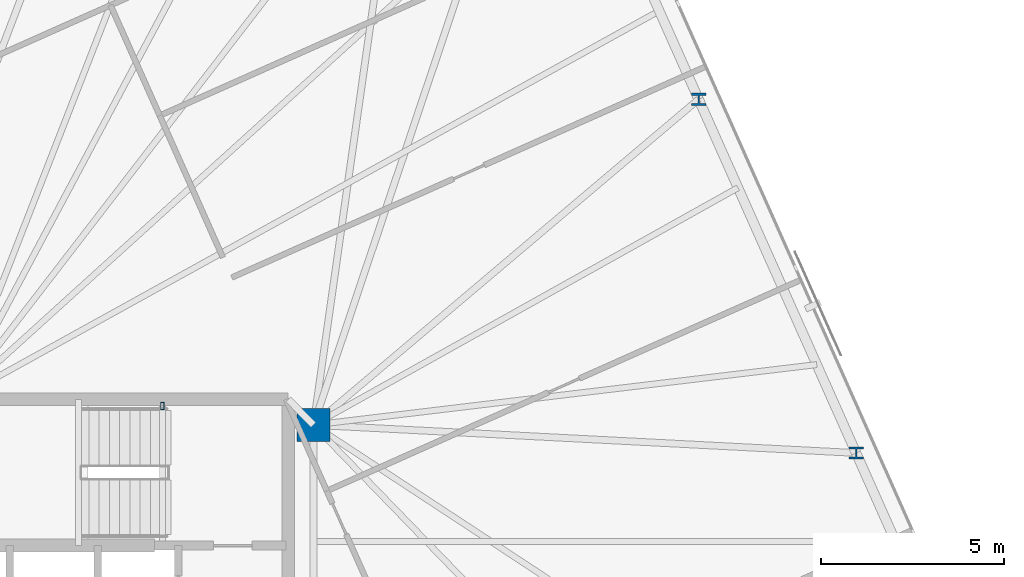
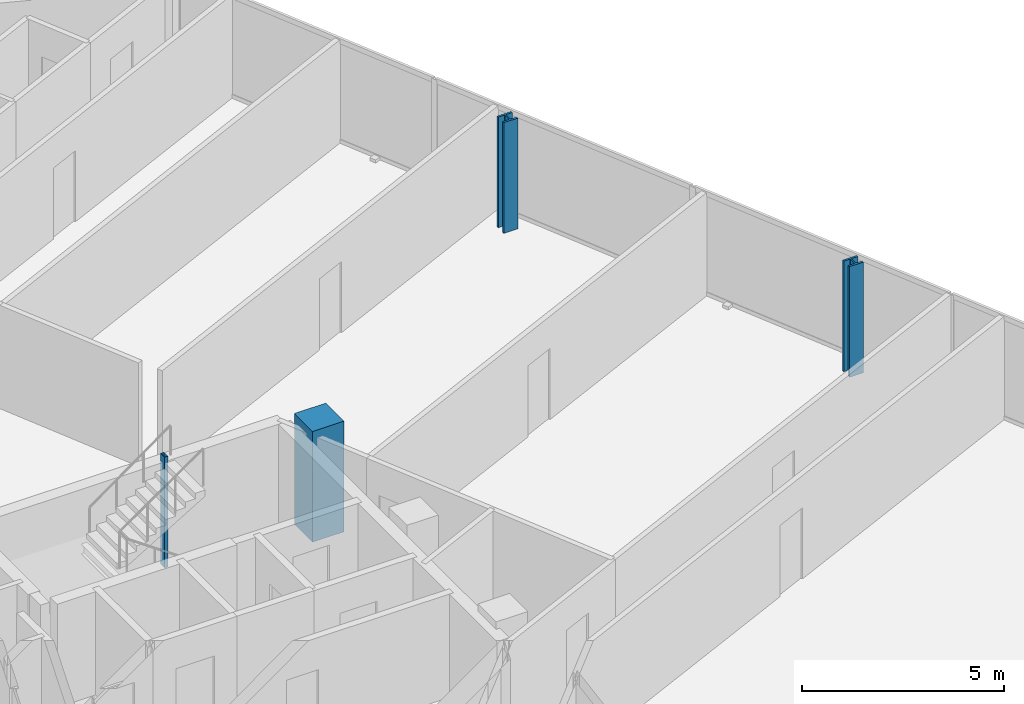
# One storey, part 3 of 18: 4 columns.
"""IFC4 building model written with IfcOpenShell, lengths in metres."""

from ifc_helpers import new_model, si_unit, direction, frame, origin, origin_2d, place, context, subcontext, project, spatial, rectangle, hollow_rectangle, i_section, extrude, material, material_profile, profile_set, type_object, element, save


model = new_model("IFC4")

# Units and contexts
model_context = context("Model", 3, precision=1e-05, world=origin(), true_north=direction((0.0, 1.0)))
body_context = subcontext(model_context, "Body", "Model", "MODEL_VIEW")
ifc_project = project(units=[si_unit("LENGTHUNIT", "METRE"), si_unit("AREAUNIT", "SQUARE_METRE"), si_unit("VOLUMEUNIT", "CUBIC_METRE"), si_unit("PLANEANGLEUNIT", "RADIAN"), si_unit("MASSUNIT", "GRAM", prefix="KILO")], contexts=[model_context])

# Site, building, storey
site_placement = place(None, origin())
site = spatial("IfcSite", under=ifc_project, at=site_placement, CompositionType="ELEMENT")
building_placement = place(site_placement, origin())
building = spatial("IfcBuilding", under=site, at=building_placement, Name="Menara Jurai Vektor", CompositionType="ELEMENT")
storey_placement = place(building_placement, frame((0.0, 0.0, 285.25)))
storey = spatial("IfcBuildingStorey", under=building, at=storey_placement, Name="L76", CompositionType="ELEMENT", Elevation=285.25)

# Columns
ifc_material_1 = material(Name="Concrete C50/60", Category="concrete")
ifc_material_profile_1 = material_profile(ifc_material_1, rectangle(XDim=0.89990234375, YDim=0.89990234375, at=origin_2d()), Name="RC 900x900")
ifc_profile_set_1 = profile_set([ifc_material_profile_1], Name="Concrete C50/60")
column_type_1 = type_object("IfcColumnType", Name="STR-COL-RC900", PredefinedType="COLUMN", material=ifc_profile_set_1)
column_1_placement = place(storey_placement, frame((15.25, 4.89990234375, 0.0), z_axis=(0.0, 0.0, 1.0), x_axis=(1.0, 0.0, 0.0)))
element("IfcColumn", 1, at=column_1_placement, inside=storey, type_object=column_type_1, Name="Core Spine Column CE-NE L76", PredefinedType="COLUMN", context=body_context, shape_type="SweptSolid", body=[
    extrude(rectangle(XDim=0.89990234375, YDim=0.89990234375, at=origin_2d()), origin(), (0.0, 0.0, 1.0), 3.35009765625),
])
ifc_material_2 = material(Name="Steel S355", Category="steel")
ifc_material_profile_2 = material_profile(ifc_material_2, hollow_rectangle(XDim=0.10009765625, YDim=0.199951171875, WallThickness=0.008056640625, at=origin_2d()), Name="RHS 200x100x8")
ifc_profile_set_2 = profile_set([ifc_material_profile_2], Name="Steel S355")
column_type_2 = type_object("IfcColumnType", Name="STR-COL-STAIR", PredefinedType="COLUMN", material=ifc_profile_set_2)
column_2_placement = place(storey_placement, frame((11.1201171875, 5.419921875, 0.0), z_axis=(0.0, 0.0, 1.0), x_axis=(1.0, 0.0, 0.0)))
element("IfcColumn", 2, at=column_2_placement, inside=storey, type_object=column_type_2, Name="Stair Well Header Column ST2-P2 L76", PredefinedType="COLUMN", context=body_context, shape_type="SweptSolid", body=[
    extrude(hollow_rectangle(XDim=0.10009765625, YDim=0.199951171875, WallThickness=0.008056640625, at=origin_2d()), origin(), (0.0, 0.0, 1.0), 3.35009765625),
])
ifc_material_3 = material(Name="Steel S460", Category="steel")
ifc_material_profile_3 = material_profile(ifc_material_3, i_section(OverallWidth=0.40087890625, OverallDepth=0.3349609375, WebThickness=0.035888671875, FlangeThickness=0.05810546875, FilletRadius=0.014892578125, at=origin_2d()), Name="HD 400x463")
ifc_profile_set_3 = profile_set([ifc_material_profile_3], Name="Steel S460")
column_type_3 = type_object("IfcColumnType", Name="STR-EXO-BLK5", PredefinedType="COLUMN", material=ifc_profile_set_3)
for number, where, z_axis, x_axis, name in (
    (3, (30.086181640625, 4.13330078125, 0.0), (0.0, 0.0, 1.0), (1.0, 0.0, 0.0), "Exoskeleton Column BLK5-E2 L76"),
    (4, (25.781005859375, 13.80322265625, 0.0), (0.0, 0.0, 1.0), (1.0, 0.0, 0.0), "Exoskeleton Column BLK5-E3 L76"),
):
    element("IfcColumn", number, at=place(storey_placement, frame(where, z_axis=z_axis, x_axis=x_axis)), inside=storey, type_object=column_type_3, Name=name, PredefinedType="COLUMN", context=body_context, shape_type="SweptSolid", body=[
        extrude(i_section(OverallWidth=0.40087890625, OverallDepth=0.3349609375, WebThickness=0.035888671875, FlangeThickness=0.05810546875, FilletRadius=0.014892578125, at=origin_2d()), origin(), (0.0, 0.0, 1.0), 3.35009765625),
    ])

save(model, "model.ifc")
